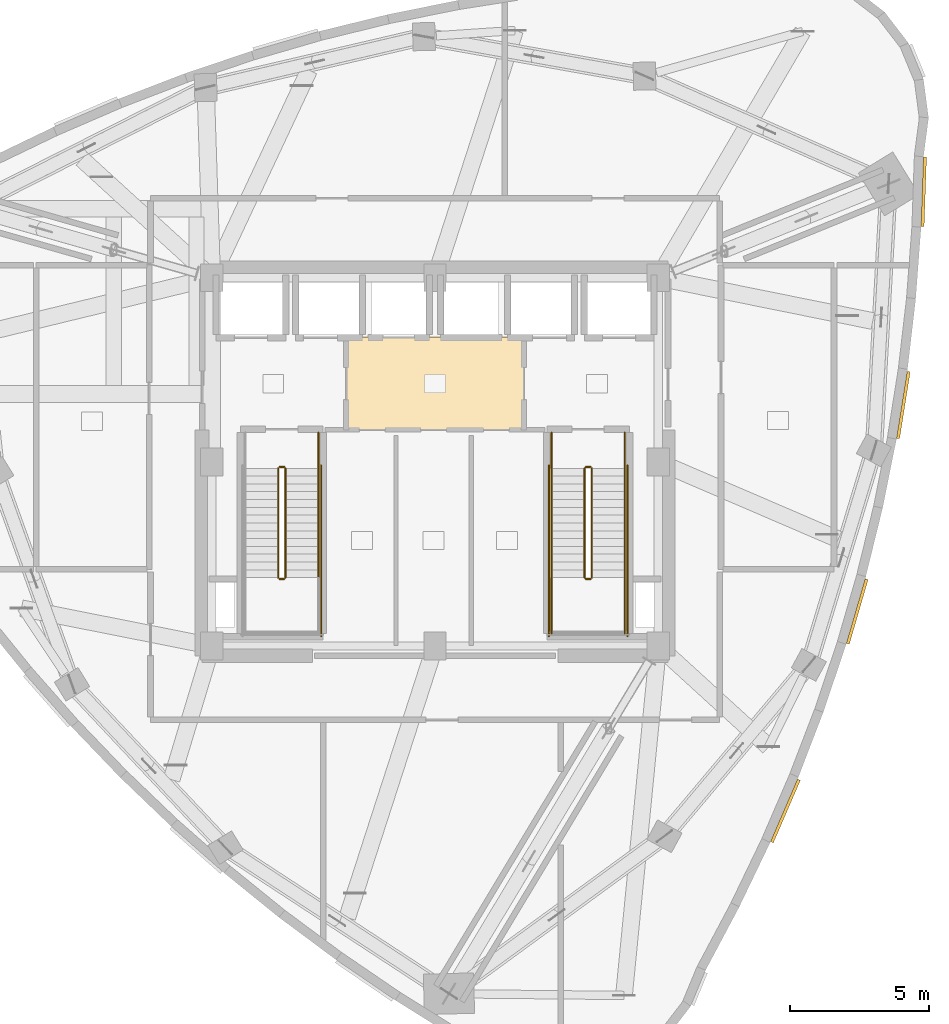
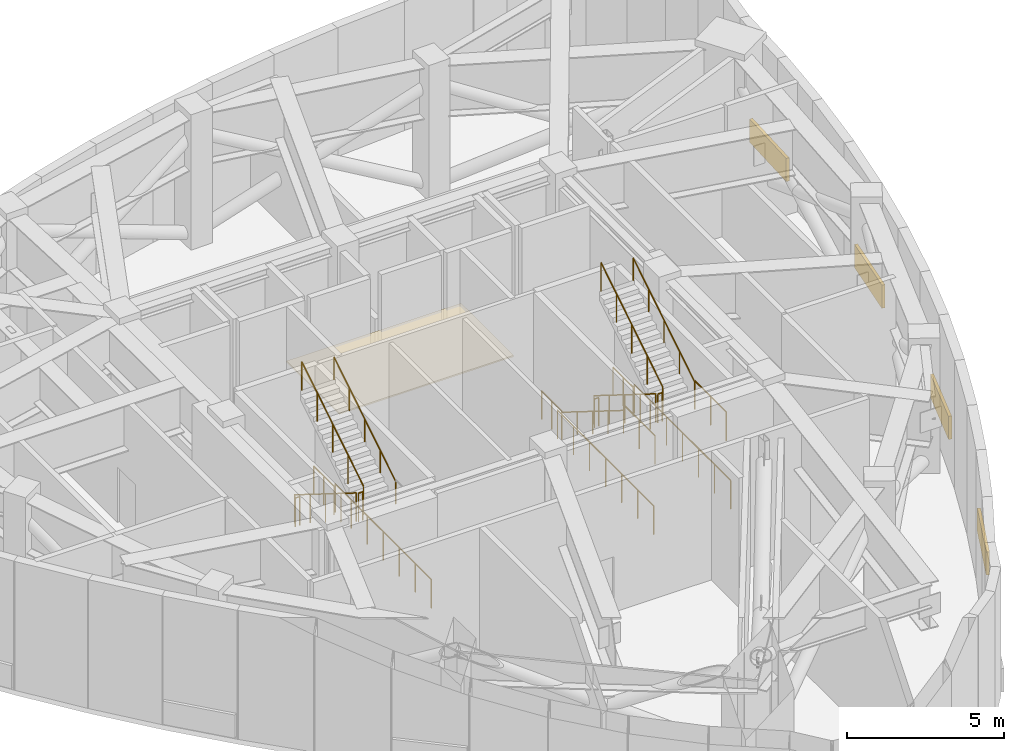
# One storey, part 9 of 10: 19 railings, 5 coverings.
"""IFC4 building model written with IfcOpenShell, lengths in metres."""

import ifcopenshell
import ifcopenshell.guid

model = None  # the IFC model being written
_history = None  # IfcOwnerHistory: only IFC2X3 demands one
_inside = {}  # id of a spatial element -> (the spatial element, [elements in it])
_under = {}  # id of a project, library or spatial element -> (it, [spatial elements below it])
_declared = {}  # id of a project -> (the project, [libraries it declares])
_typed = {}  # id of a type object -> (the type object, [elements of that type])
_made_of = {}  # id of a material, layer set ... -> (it, [elements and type objects made of it])


def new_model(schema):
    """Start an empty IFC model of exactly this schema.

    Asked for "IFC4X3", IfcOpenShell would pick the latest addendum, in which some entities
    have other attributes; the version numbers below select the first issue.
    IFC2X3 requires an IfcOwnerHistory on every rooted entity: one is made here for all.
    """
    global model, _history
    if schema == "IFC4X3":
        model = ifcopenshell.file(schema_version=(4, 3, 0, 0))
    else:
        model = ifcopenshell.file(schema=schema)
    _inside.clear()
    _under.clear()
    _declared.clear()
    _typed.clear()
    _made_of.clear()
    _history = None
    if model.schema == "IFC2X3":
        org = make("IfcOrganization", Name="unknown")
        user = make(
            "IfcPersonAndOrganization",
            ThePerson=make("IfcPerson", FamilyName="unknown"),
            TheOrganization=org,
        )
        app = make(
            "IfcApplication",
            ApplicationDeveloper=org,
            Version="unknown",
            ApplicationFullName="unknown",
            ApplicationIdentifier="unknown",
        )
        _history = make(
            "IfcOwnerHistory",
            OwningUser=user,
            OwningApplication=app,
            ChangeAction="ADDED",
            CreationDate=0,
        )
    return model


def make(cls, **values):
    """One entity of the class cls with the attributes given. An attribute that is None is left unset."""
    return model.create_entity(
        cls, **{name: value for name, value in values.items() if value is not None}
    )


def rooted(cls, **values):
    """An entity with a GlobalId (a new one), such as an element, a storey or a relation."""
    return make(cls, GlobalId=ifcopenshell.guid.new(), OwnerHistory=_history, **values)


def si_unit(unit_type, name, prefix=None):
    """IfcSIUnit, for example si_unit("LENGTHUNIT", "METRE", prefix="MILLI")."""
    return make("IfcSIUnit", UnitType=unit_type, Prefix=prefix, Name=name)


def assignment(units):
    """IfcUnitAssignment: the units of a project."""
    return None if units is None else make("IfcUnitAssignment", Units=units)


def point(xyz):
    """IfcCartesianPoint."""
    return None if xyz is None else make("IfcCartesianPoint", Coordinates=xyz)


def direction(xyz):
    """IfcDirection."""
    return None if xyz is None else make("IfcDirection", DirectionRatios=xyz)


def frame(location, z_axis=None, x_axis=None):
    """IfcAxis2Placement3D, a coordinate frame: its origin and axes. An axis left out is left unset."""
    return make(
        "IfcAxis2Placement3D",
        Location=point(location),
        Axis=direction(z_axis),
        RefDirection=direction(x_axis),
    )


def frame_2d(location, x_axis=None):
    """IfcAxis2Placement2D, a coordinate frame in the plane: its origin and x axis."""
    return make(
        "IfcAxis2Placement2D", Location=point(location), RefDirection=direction(x_axis)
    )


def origin():
    """The frame at (0, 0, 0) with its axes left unset."""
    return frame((0.0, 0.0, 0.0))


def origin_2d():
    """The frame at (0, 0) in the plane with its x axis left unset."""
    return frame_2d((0.0, 0.0))


def place(relative_to, where):
    """IfcLocalPlacement: puts the frame where relative to a parent placement (None: the world)."""
    return make(
        "IfcLocalPlacement", PlacementRelTo=relative_to, RelativePlacement=where
    )


def context(
    kind, dimensions, precision=None, world=None, true_north=None, identifier=None
):
    """IfcGeometricRepresentationContext, for example the 3D "Model" context."""
    return make(
        "IfcGeometricRepresentationContext",
        ContextIdentifier=identifier,
        ContextType=kind,
        CoordinateSpaceDimension=dimensions,
        Precision=precision,
        WorldCoordinateSystem=world,
        TrueNorth=true_north,
    )


def subcontext(parent, identifier, kind, view, scale=None):
    """IfcGeometricRepresentationSubContext, for example "Body" below "Model"."""
    return make(
        "IfcGeometricRepresentationSubContext",
        ContextIdentifier=identifier,
        ContextType=kind,
        ParentContext=parent,
        TargetScale=scale,
        TargetView=view,
    )


def project(units=None, contexts=None):
    """IfcProject with its units and contexts."""
    return rooted(
        "IfcProject",
        Name="project",
        RepresentationContexts=contexts,
        UnitsInContext=assignment(units),
    )


def spatial(cls, under=None, at=None, **own):
    """A site, building, storey or space (cls), placed at a placement, below another one or the project."""
    s = rooted(cls, ObjectPlacement=at, **own)
    if under is not None:
        _under.setdefault(under.id(), (under, []))[1].append(s)
    return s


def profile(cls, at=None, kind="AREA", **sizes):
    """A parametric profile (cls). Its sizes go by their IFC names, for example OverallWidth=200.0."""
    return make(cls, ProfileType=kind, Position=at, **sizes)


def rectangle(**sizes):
    """IfcRectangleProfileDef."""
    return profile("IfcRectangleProfileDef", **sizes)


def circle(**sizes):
    """IfcCircleProfileDef."""
    return profile("IfcCircleProfileDef", **sizes)


def extrude(swept, where, along, depth):
    """IfcExtrudedAreaSolid: the profile swept, set in the frame where, extruded along a direction by depth."""
    return make(
        "IfcExtrudedAreaSolid",
        SweptArea=swept,
        Position=where,
        ExtrudedDirection=direction(along),
        Depth=depth,
    )


def shape(context_of_items, identifier, shape_type, items):
    """IfcShapeRepresentation: the items that make up one representation, for example the "Body"."""
    return make(
        "IfcShapeRepresentation",
        ContextOfItems=context_of_items,
        RepresentationIdentifier=identifier,
        RepresentationType=shape_type,
        Items=items,
    )


def material(Name=None, Category=None):
    """IfcMaterial."""
    return make("IfcMaterial", Name=Name, Category=Category)


def layer(
    of_material, thickness, ventilated=None, Name=None, Category=None, Priority=None
):
    """IfcMaterialLayer: one layer of a wall or slab, of a material (None: an air gap)."""
    return make(
        "IfcMaterialLayer",
        Material=of_material,
        LayerThickness=thickness,
        IsVentilated=ventilated,
        Name=Name,
        Category=Category,
        Priority=Priority,
    )


def layer_set(layers, Name=None):
    """IfcMaterialLayerSet."""
    return make("IfcMaterialLayerSet", MaterialLayers=layers, LayerSetName=Name)


def made_of(thing, what):
    """Note that an element or type object is made of a material, layer set ...; save() writes the relation."""
    if what is not None:
        _made_of.setdefault(what.id(), (what, []))[1].append(thing)
    return thing


def type_object(cls, material=None, **own):
    """A type object (cls), such as IfcWallType, which elements share."""
    return made_of(rooted(cls, **own), material)


def element(
    cls,
    number,
    at=None,
    inside=None,
    cuts=None,
    type_object=None,
    material=None,
    context=None,
    identifier="Body",
    shape_type=None,
    held_by="IfcProductDefinitionShape",
    body=None,
    shapes=None,
    **own,
):
    """One element of the class cls, such as IfcWall. Its Tag is "e" and its number.

    at: its placement. inside: the storey or other place that contains it. cuts: it is an
    opening in that element (IfcRelVoidsElement). A single representation is given by context,
    identifier, shape_type and body (its items); several are given by shapes. held_by: the class
    of the entity that holds the representations. save() writes the other relations.
    """
    e = rooted(cls, Tag="e%d" % number, ObjectPlacement=at, **own)
    if body is not None:
        shapes = [shape(context, identifier, shape_type, body)]
    if shapes is not None:
        e.Representation = make(held_by, Representations=shapes)
    if inside is not None:
        _inside.setdefault(inside.id(), (inside, []))[1].append(e)
    if cuts is not None:
        rooted(
            "IfcRelVoidsElement", RelatingBuildingElement=cuts, RelatedOpeningElement=e
        )
    if type_object is not None:
        _typed.setdefault(type_object.id(), (type_object, []))[1].append(e)
    return made_of(e, material)


def aggregate(whole, parts):
    """IfcRelAggregates: a whole, such as a stair, and the parts it consists of."""
    return rooted("IfcRelAggregates", RelatingObject=whole, RelatedObjects=parts)


def save(model, path):
    """Write the relations noted so far, then the file.

    IfcRelAggregates (storeys below a building ...), IfcRelContainedInSpatialStructure (elements
    in a storey), IfcRelDefinesByType, IfcRelAssociatesMaterial and IfcRelDeclares: one each for
    every whole, place, type object, material and project.
    """
    for whole, parts in _under.values():
        aggregate(whole, parts)
    for where, things in _inside.values():
        rooted(
            "IfcRelContainedInSpatialStructure",
            RelatedElements=things,
            RelatingStructure=where,
        )
    for kind, things in _typed.values():
        rooted("IfcRelDefinesByType", RelatedObjects=things, RelatingType=kind)
    for what, things in _made_of.values():
        rooted("IfcRelAssociatesMaterial", RelatedObjects=things, RelatingMaterial=what)
    for by, libraries in _declared.values():
        rooted("IfcRelDeclares", RelatingContext=by, RelatedDefinitions=libraries)
    model.write(path)


model = new_model("IFC4")

# Units and contexts
model_context = context("Model", 3, precision=1e-05, world=origin(), true_north=direction((0.0, 1.0)))
body_context = subcontext(model_context, "Body", "Model", "MODEL_VIEW")
ifc_project = project(units=[si_unit("LENGTHUNIT", "METRE"), si_unit("AREAUNIT", "SQUARE_METRE"), si_unit("VOLUMEUNIT", "CUBIC_METRE"), si_unit("PLANEANGLEUNIT", "RADIAN"), si_unit("MASSUNIT", "GRAM", prefix="KILO")], contexts=[model_context])

# Site, building, storey
site_placement = place(None, origin())
site = spatial("IfcSite", under=ifc_project, at=site_placement, CompositionType="ELEMENT")
building_placement = place(site_placement, origin())
building = spatial("IfcBuilding", under=site, at=building_placement, Name="Ndelora Gate Hotel", CompositionType="ELEMENT")
storey_placement = place(building_placement, frame((0.0, 0.0, 254.949951171875)))
storey = spatial("IfcBuildingStorey", under=building, at=storey_placement, Name="L64", CompositionType="ELEMENT", Elevation=254.949951171875)

# Coverings
ifc_material_1 = material(Name="Perforated Acoustic Gypsum Board", Category="gypsum")
ifc_layer_1 = layer(ifc_material_1, 0.054931640625)
ifc_layer_set_1 = layer_set([ifc_layer_1], Name="Perforated Acoustic Gypsum Board")
covering_type_1 = type_object("IfcCoveringType", Name="COV-CEIL-AC60", PredefinedType="CEILING", material=ifc_layer_set_1)
covering_1_placement = place(storey_placement, frame((0.0, 2.800048828125, 2.72265625), z_axis=(0.0, 0.0, 1.0), x_axis=(1.0, 0.0, 0.0)))
element("IfcCovering", 1, at=covering_1_placement, inside=storey, type_object=covering_type_1, Name="L64 Lift Lobby Acoustic Ceiling", PredefinedType="CEILING", context=body_context, shape_type="SweptSolid", body=[
    extrude(rectangle(XDim=6.39990234375, YDim=3.340087890625, at=origin_2d()), origin(), (0.0, 0.0, 1.0), 0.054931640625),
])
ifc_material_2 = material(Name="Terracotta Fired Clay Brick Slip Cladding", Category="masonry")
ifc_layer_2 = layer(ifc_material_2, 0.110107421875)
ifc_layer_set_2 = layer_set([ifc_layer_2], Name="Terracotta Fired Clay Brick Slip Cladding")
covering_type_2 = type_object("IfcCoveringType", Name="COV-CLAD-BRK", PredefinedType="CLADDING", material=ifc_layer_set_2)
covering_2_placement = place(storey_placement, frame((12.559814453125, -12.51318359375, 0.10009765625), z_axis=(0.0, 0.0, 1.0), x_axis=(0.396507080307, 0.918031663543, 0.0)))
element("IfcCovering", 2, at=covering_2_placement, inside=storey, type_object=covering_type_2, Name="L64 Rounded-Corner Brick Cladding Band 31", PredefinedType="CLADDING", context=body_context, shape_type="SweptSolid", body=[
    extrude(rectangle(XDim=2.443115234375, YDim=0.110107421875, at=origin_2d()), origin(), (0.0, 0.0, 1.0), 0.89990234375),
])
covering_3_placement = place(storey_placement, frame((15.134033203125, -5.362060546875, 0.10009765625), z_axis=(0.0, 0.0, 1.0), x_axis=(0.278991106039, 0.960293685677, 0.0)))
element("IfcCovering", 3, at=covering_3_placement, inside=storey, type_object=covering_type_2, Name="L64 Rounded-Corner Brick Cladding Band 34", PredefinedType="CLADDING", context=body_context, shape_type="SweptSolid", body=[
    extrude(rectangle(XDim=2.416015625, YDim=0.110107421875, at=origin_2d()), origin(), (0.0, 0.0, 1.0), 0.89990234375),
])
covering_4_placement = place(storey_placement, frame((16.787353515625, 2.0361328125, 0.10009765625), z_axis=(0.0, 0.0, 1.0), x_axis=(0.156606846792, 0.987661022587, 0.0)))
element("IfcCovering", 4, at=covering_4_placement, inside=storey, type_object=covering_type_2, Name="L64 Rounded-Corner Brick Cladding Band 37", PredefinedType="CLADDING", context=body_context, shape_type="SweptSolid", body=[
    extrude(rectangle(XDim=2.428955078125, YDim=0.110107421875, at=origin_2d()), origin(), (0.0, 0.0, 1.0), 0.89990234375),
])
covering_5_placement = place(storey_placement, frame((17.519775390625, 9.68017578125, 0.10009765625), z_axis=(0.0, 0.0, 1.0), x_axis=(0.034899496703, 0.999390827019, 0.0)))
element("IfcCovering", 5, at=covering_5_placement, inside=storey, type_object=covering_type_2, Name="L64 Rounded-Corner Brick Cladding Band 40", PredefinedType="CLADDING", context=body_context, shape_type="SweptSolid", body=[
    extrude(rectangle(XDim=2.48193359375, YDim=0.110107421875, at=origin_2d()), origin(), (0.0, 0.0, 1.0), 0.89990234375),
])

# Railings
ifc_material_3 = material(Name="Painted Galvanized Steel Balustrade", Category="steel")
ifc_layer_3 = layer(ifc_material_3, 0.06005859375)
ifc_layer_set_3 = layer_set([ifc_layer_3], Name="Painted Galvanized Steel Balustrade")
railing_type_1 = type_object("IfcRailingType", Name="RL-STAIR-GD", PredefinedType="GUARDRAIL", material=ifc_layer_set_3)
railing_1_placement = place(storey_placement, frame((-5.6201171875, -0.22998046875, 0.175048828125)))
element("IfcRailing", 6, at=railing_1_placement, inside=storey, type_object=railing_type_1, Name="L64 ST4 stair guard 1", PredefinedType="GUARDRAIL", context=body_context, shape_type="SweptSolid", body=[
    extrude(circle(Radius=0.02392578125, at=origin_2d()), frame((0.0, 0.0, 1.10595703125), z_axis=(0.0, -0.847998304005, 0.529998940003), x_axis=(1.0, 0.0, 0.0)), (0.0, 0.0, 1.0), 4.62255859375),
    extrude(circle(Radius=0.02099609375, at=origin_2d()), origin(), (0.0, 0.0, 1.0), 1.081787109375),
    extrude(circle(Radius=0.02099609375, at=origin_2d()), frame((0.0, -0.97998046875, 0.612548828125)), (0.0, 0.0, 1.0), 1.081787109375),
    extrude(circle(Radius=0.02099609375, at=origin_2d()), frame((0.0, -1.9599609375, 1.22509765625)), (0.0, 0.0, 1.0), 1.081787109375),
    extrude(circle(Radius=0.02099609375, at=origin_2d()), frame((0.0, -2.93994140625, 1.83740234375)), (0.0, 0.0, 1.0), 1.081787109375),
    extrude(circle(Radius=0.02099609375, at=origin_2d()), frame((0.0, -3.919921875, 2.449951171875)), (0.0, 0.0, 1.0), 1.081787109375),
])
railing_2_placement = place(storey_placement, frame((-5.570068359375, -4.199951171875, 2.625)))
element("IfcRailing", 7, at=railing_2_placement, inside=storey, type_object=railing_type_1, Name="L64 ST4 stair guard 2", PredefinedType="GUARDRAIL", context=body_context, shape_type="SweptSolid", body=[
    extrude(circle(Radius=0.02392578125, at=origin_2d()), frame((0.0, 0.0, 1.10595703125), z_axis=(1.0, 0.0, 0.0), x_axis=(0.0, 1.0, 0.0)), (0.0, 0.0, 1.0), 0.16015625),
    extrude(circle(Radius=0.02099609375, at=origin_2d()), origin(), (0.0, 0.0, 1.0), 1.081787109375),
    extrude(circle(Radius=0.02099609375, at=origin_2d()), frame((0.16015625, 0.0, 0.0)), (0.0, 0.0, 1.0), 1.081787109375),
])
railing_3_placement = place(storey_placement, frame((-5.360107421875, -4.14990234375, 2.800048828125)))
element("IfcRailing", 8, at=railing_3_placement, inside=storey, type_object=railing_type_1, Name="L64 ST4 stair guard 6", PredefinedType="GUARDRAIL", context=body_context, shape_type="SweptSolid", body=[
    extrude(circle(Radius=0.02392578125, at=origin_2d()), frame((0.0, 0.0, 1.10595703125), z_axis=(0.0, 0.847998304005, 0.529998940003), x_axis=(-1.0, 0.0, 0.0)), (0.0, 0.0, 1.0), 4.62255859375),
    extrude(circle(Radius=0.02099609375, at=origin_2d()), origin(), (0.0, 0.0, 1.0), 1.081787109375),
    extrude(circle(Radius=0.02099609375, at=origin_2d()), frame((0.0, 0.97998046875, 0.612548828125)), (0.0, 0.0, 1.0), 1.081787109375),
    extrude(circle(Radius=0.02099609375, at=origin_2d()), frame((0.0, 1.9599609375, 1.22509765625)), (0.0, 0.0, 1.0), 1.081787109375),
    extrude(circle(Radius=0.02099609375, at=origin_2d()), frame((0.0, 2.93994140625, 1.83740234375)), (0.0, 0.0, 1.0), 1.081787109375),
    extrude(circle(Radius=0.02099609375, at=origin_2d()), frame((0.0, 3.919921875, 2.449951171875)), (0.0, 0.0, 1.0), 1.081787109375),
])
railing_4_placement = place(storey_placement, frame((-5.570068359375, -0.179931640625, 0.0)))
element("IfcRailing", 9, at=railing_4_placement, inside=storey, type_object=railing_type_1, Name="L64 ST4 stair guard 7", PredefinedType="GUARDRAIL", context=body_context, shape_type="SweptSolid", body=[
    extrude(circle(Radius=0.02392578125, at=origin_2d()), frame((0.0, 0.0, 1.10595703125), z_axis=(1.0, 0.0, 0.0), x_axis=(0.0, 1.0, 0.0)), (0.0, 0.0, 1.0), 0.16015625),
    extrude(circle(Radius=0.02099609375, at=origin_2d()), origin(), (0.0, 0.0, 1.0), 1.081787109375),
    extrude(circle(Radius=0.02099609375, at=origin_2d()), frame((0.16015625, 0.0, 0.0)), (0.0, 0.0, 1.0), 1.081787109375),
])
railing_5_placement = place(storey_placement, frame((-4.179931640625, 1.050048828125, 0.0)))
element("IfcRailing", 10, at=railing_5_placement, inside=storey, type_object=railing_type_1, Name="L64 ST4 stair guard 9", PredefinedType="GUARDRAIL", context=body_context, shape_type="SweptSolid", body=[
    extrude(circle(Radius=0.02392578125, at=origin_2d()), frame((0.0, 0.0, 1.10595703125), z_axis=(0.0, -1.0, 0.0), x_axis=(1.0, 0.0, 0.0)), (0.0, 0.0, 1.0), 1.280029296875),
    extrude(circle(Radius=0.02099609375, at=origin_2d()), origin(), (0.0, 0.0, 1.0), 1.081787109375),
    extrude(circle(Radius=0.02099609375, at=origin_2d()), frame((0.0, -0.64013671875, 0.0)), (0.0, 0.0, 1.0), 1.081787109375),
    extrude(circle(Radius=0.02099609375, at=origin_2d()), frame((0.0, -1.280029296875, 0.0)), (0.0, 0.0, 1.0), 1.081787109375),
])
railing_6_placement = place(storey_placement, frame((-4.080078125, -0.1298828125, 0.0)))
element("IfcRailing", 11, at=railing_6_placement, inside=storey, type_object=railing_type_1, Name="L64 ST4 stair guard 11", PredefinedType="GUARDRAIL", context=body_context, shape_type="SweptSolid", body=[
    extrude(circle(Radius=0.02392578125, at=origin_2d()), frame((0.0, 0.0, 1.10595703125), z_axis=(0.0, -1.0, 0.0), x_axis=(1.0, 0.0, 0.0)), (0.0, 0.0, 1.0), 6.1201171875),
    extrude(circle(Radius=0.02099609375, at=origin_2d()), origin(), (0.0, 0.0, 1.0), 1.081787109375),
    extrude(circle(Radius=0.02099609375, at=origin_2d()), frame((0.0, -1.02001953125, 0.0)), (0.0, 0.0, 1.0), 1.081787109375),
    extrude(circle(Radius=0.02099609375, at=origin_2d()), frame((0.0, -2.0400390625, 0.0)), (0.0, 0.0, 1.0), 1.081787109375),
    extrude(circle(Radius=0.02099609375, at=origin_2d()), frame((0.0, -3.06005859375, 0.0)), (0.0, 0.0, 1.0), 1.081787109375),
    extrude(circle(Radius=0.02099609375, at=origin_2d()), frame((0.0, -4.080078125, 0.0)), (0.0, 0.0, 1.0), 1.081787109375),
    extrude(circle(Radius=0.02099609375, at=origin_2d()), frame((0.0, -5.10009765625, 0.0)), (0.0, 0.0, 1.0), 1.081787109375),
    extrude(circle(Radius=0.02099609375, at=origin_2d()), frame((0.0, -6.1201171875, 0.0)), (0.0, 0.0, 1.0), 1.081787109375),
])
railing_7_placement = place(storey_placement, frame((5.360107421875, -0.22998046875, 0.175048828125)))
element("IfcRailing", 12, at=railing_7_placement, inside=storey, type_object=railing_type_1, Name="L64 ST5 stair guard 1", PredefinedType="GUARDRAIL", context=body_context, shape_type="SweptSolid", body=[
    extrude(circle(Radius=0.02392578125, at=origin_2d()), frame((0.0, 0.0, 1.10595703125), z_axis=(0.0, -0.847998304005, 0.529998940003), x_axis=(1.0, 0.0, 0.0)), (0.0, 0.0, 1.0), 4.62255859375),
    extrude(circle(Radius=0.02099609375, at=origin_2d()), origin(), (0.0, 0.0, 1.0), 1.081787109375),
    extrude(circle(Radius=0.02099609375, at=origin_2d()), frame((0.0, -0.97998046875, 0.612548828125)), (0.0, 0.0, 1.0), 1.081787109375),
    extrude(circle(Radius=0.02099609375, at=origin_2d()), frame((0.0, -1.9599609375, 1.22509765625)), (0.0, 0.0, 1.0), 1.081787109375),
    extrude(circle(Radius=0.02099609375, at=origin_2d()), frame((0.0, -2.93994140625, 1.83740234375)), (0.0, 0.0, 1.0), 1.081787109375),
    extrude(circle(Radius=0.02099609375, at=origin_2d()), frame((0.0, -3.919921875, 2.449951171875)), (0.0, 0.0, 1.0), 1.081787109375),
])
railing_8_placement = place(storey_placement, frame((5.409912109375, -4.199951171875, 2.625)))
element("IfcRailing", 13, at=railing_8_placement, inside=storey, type_object=railing_type_1, Name="L64 ST5 stair guard 2", PredefinedType="GUARDRAIL", context=body_context, shape_type="SweptSolid", body=[
    extrude(circle(Radius=0.02392578125, at=origin_2d()), frame((0.0, 0.0, 1.10595703125), z_axis=(1.0, 0.0, 0.0), x_axis=(0.0, 1.0, 0.0)), (0.0, 0.0, 1.0), 0.16015625),
    extrude(circle(Radius=0.02099609375, at=origin_2d()), origin(), (0.0, 0.0, 1.0), 1.081787109375),
    extrude(circle(Radius=0.02099609375, at=origin_2d()), frame((0.16015625, 0.0, 0.0)), (0.0, 0.0, 1.0), 1.081787109375),
])
for number, where, name in (
    (14, (4.179931640625, -4.14990234375, 2.625), "L64 ST5 stair guard 3"),
    (15, (6.800048828125, -4.14990234375, 2.625), "L64 ST5 stair guard 4"),
):
    element("IfcRailing", number, at=place(storey_placement, frame(where)), inside=storey, type_object=railing_type_1, Name=name, PredefinedType="GUARDRAIL", context=body_context, shape_type="SweptSolid", body=[
        extrude(circle(Radius=0.02392578125, at=origin_2d()), frame((0.0, 0.0, 1.10595703125), z_axis=(0.0, -1.0, 0.0), x_axis=(1.0, 0.0, 0.0)), (0.0, 0.0, 1.0), 2.0),
        extrude(circle(Radius=0.02099609375, at=origin_2d()), origin(), (0.0, 0.0, 1.0), 1.081787109375),
        extrude(circle(Radius=0.02099609375, at=origin_2d()), frame((0.0, -1.0, 0.0)), (0.0, 0.0, 1.0), 1.081787109375),
        extrude(circle(Radius=0.02099609375, at=origin_2d()), frame((0.0, -2.0, 0.0)), (0.0, 0.0, 1.0), 1.081787109375),
    ])
railing_9_placement = place(storey_placement, frame((5.6201171875, -4.14990234375, 2.800048828125)))
element("IfcRailing", 16, at=railing_9_placement, inside=storey, type_object=railing_type_1, Name="L64 ST5 stair guard 6", PredefinedType="GUARDRAIL", context=body_context, shape_type="SweptSolid", body=[
    extrude(circle(Radius=0.02392578125, at=origin_2d()), frame((0.0, 0.0, 1.10595703125), z_axis=(0.0, 0.847998304005, 0.529998940003), x_axis=(-1.0, 0.0, 0.0)), (0.0, 0.0, 1.0), 4.62255859375),
    extrude(circle(Radius=0.02099609375, at=origin_2d()), origin(), (0.0, 0.0, 1.0), 1.081787109375),
    extrude(circle(Radius=0.02099609375, at=origin_2d()), frame((0.0, 0.97998046875, 0.612548828125)), (0.0, 0.0, 1.0), 1.081787109375),
    extrude(circle(Radius=0.02099609375, at=origin_2d()), frame((0.0, 1.9599609375, 1.22509765625)), (0.0, 0.0, 1.0), 1.081787109375),
    extrude(circle(Radius=0.02099609375, at=origin_2d()), frame((0.0, 2.93994140625, 1.83740234375)), (0.0, 0.0, 1.0), 1.081787109375),
    extrude(circle(Radius=0.02099609375, at=origin_2d()), frame((0.0, 3.919921875, 2.449951171875)), (0.0, 0.0, 1.0), 1.081787109375),
])
railing_10_placement = place(storey_placement, frame((5.409912109375, -0.179931640625, 0.0)))
element("IfcRailing", 17, at=railing_10_placement, inside=storey, type_object=railing_type_1, Name="L64 ST5 stair guard 7", PredefinedType="GUARDRAIL", context=body_context, shape_type="SweptSolid", body=[
    extrude(circle(Radius=0.02392578125, at=origin_2d()), frame((0.0, 0.0, 1.10595703125), z_axis=(1.0, 0.0, 0.0), x_axis=(0.0, 1.0, 0.0)), (0.0, 0.0, 1.0), 0.16015625),
    extrude(circle(Radius=0.02099609375, at=origin_2d()), origin(), (0.0, 0.0, 1.0), 1.081787109375),
    extrude(circle(Radius=0.02099609375, at=origin_2d()), frame((0.16015625, 0.0, 0.0)), (0.0, 0.0, 1.0), 1.081787109375),
])
for number, where, name in (
    (18, (4.179931640625, 1.050048828125, 0.0), "L64 ST5 stair guard 8"),
    (19, (6.800048828125, 1.050048828125, 0.0), "L64 ST5 stair guard 9"),
):
    element("IfcRailing", number, at=place(storey_placement, frame(where)), inside=storey, type_object=railing_type_1, Name=name, PredefinedType="GUARDRAIL", context=body_context, shape_type="SweptSolid", body=[
        extrude(circle(Radius=0.02392578125, at=origin_2d()), frame((0.0, 0.0, 1.10595703125), z_axis=(0.0, -1.0, 0.0), x_axis=(1.0, 0.0, 0.0)), (0.0, 0.0, 1.0), 1.280029296875),
        extrude(circle(Radius=0.02099609375, at=origin_2d()), origin(), (0.0, 0.0, 1.0), 1.081787109375),
        extrude(circle(Radius=0.02099609375, at=origin_2d()), frame((0.0, -0.64013671875, 0.0)), (0.0, 0.0, 1.0), 1.081787109375),
        extrude(circle(Radius=0.02099609375, at=origin_2d()), frame((0.0, -1.280029296875, 0.0)), (0.0, 0.0, 1.0), 1.081787109375),
    ])
for number, where, name in (
    (20, (4.080078125, -0.1298828125, 0.0), "L64 ST5 stair guard 10"),
    (21, (6.89990234375, -0.1298828125, 0.0), "L64 ST5 stair guard 11"),
):
    element("IfcRailing", number, at=place(storey_placement, frame(where)), inside=storey, type_object=railing_type_1, Name=name, PredefinedType="GUARDRAIL", context=body_context, shape_type="SweptSolid", body=[
        extrude(circle(Radius=0.02392578125, at=origin_2d()), frame((0.0, 0.0, 1.10595703125), z_axis=(0.0, -1.0, 0.0), x_axis=(1.0, 0.0, 0.0)), (0.0, 0.0, 1.0), 6.1201171875),
        extrude(circle(Radius=0.02099609375, at=origin_2d()), origin(), (0.0, 0.0, 1.0), 1.081787109375),
        extrude(circle(Radius=0.02099609375, at=origin_2d()), frame((0.0, -1.02001953125, 0.0)), (0.0, 0.0, 1.0), 1.081787109375),
        extrude(circle(Radius=0.02099609375, at=origin_2d()), frame((0.0, -2.0400390625, 0.0)), (0.0, 0.0, 1.0), 1.081787109375),
        extrude(circle(Radius=0.02099609375, at=origin_2d()), frame((0.0, -3.06005859375, 0.0)), (0.0, 0.0, 1.0), 1.081787109375),
        extrude(circle(Radius=0.02099609375, at=origin_2d()), frame((0.0, -4.080078125, 0.0)), (0.0, 0.0, 1.0), 1.081787109375),
        extrude(circle(Radius=0.02099609375, at=origin_2d()), frame((0.0, -5.10009765625, 0.0)), (0.0, 0.0, 1.0), 1.081787109375),
        extrude(circle(Radius=0.02099609375, at=origin_2d()), frame((0.0, -6.1201171875, 0.0)), (0.0, 0.0, 1.0), 1.081787109375),
    ])
ifc_material_4 = material(Name="Brushed Stainless Steel 316", Category="steel")
ifc_layer_4 = layer(ifc_material_4, 0.050048828125)
ifc_layer_set_4 = layer_set([ifc_layer_4], Name="Brushed Stainless Steel 316")
railing_type_2 = type_object("IfcRailingType", Name="RL-STAIR-HR", PredefinedType="HANDRAIL", material=ifc_layer_set_4)
railing_11_placement = place(storey_placement, frame((-4.179931640625, -4.14990234375, 2.800048828125)))
element("IfcRailing", 22, at=railing_11_placement, inside=storey, type_object=railing_type_2, Name="L64 ST4 stair handrail 2", PredefinedType="HANDRAIL", context=body_context, shape_type="SweptSolid", body=[
    extrude(circle(Radius=0.02392578125, at=origin_2d()), frame((0.0, 0.0, 0.8759765625), z_axis=(0.0, 0.847998304005, 0.529998940003), x_axis=(-1.0, 0.0, 0.0)), (0.0, 0.0, 1.0), 4.62255859375),
    extrude(circle(Radius=0.02099609375, at=origin_2d()), origin(), (0.0, 0.0, 1.0), 0.851806640625),
    extrude(circle(Radius=0.02099609375, at=origin_2d()), frame((0.0, 0.97998046875, 0.612548828125)), (0.0, 0.0, 1.0), 0.851806640625),
    extrude(circle(Radius=0.02099609375, at=origin_2d()), frame((0.0, 1.9599609375, 1.22509765625)), (0.0, 0.0, 1.0), 0.851806640625),
    extrude(circle(Radius=0.02099609375, at=origin_2d()), frame((0.0, 2.93994140625, 1.83740234375)), (0.0, 0.0, 1.0), 0.851806640625),
    extrude(circle(Radius=0.02099609375, at=origin_2d()), frame((0.0, 3.919921875, 2.449951171875)), (0.0, 0.0, 1.0), 0.851806640625),
])
railing_12_placement = place(storey_placement, frame((4.179931640625, -0.22998046875, 0.175048828125)))
element("IfcRailing", 23, at=railing_12_placement, inside=storey, type_object=railing_type_2, Name="L64 ST5 stair handrail 1", PredefinedType="HANDRAIL", context=body_context, shape_type="SweptSolid", body=[
    extrude(circle(Radius=0.02392578125, at=origin_2d()), frame((0.0, 0.0, 0.8759765625), z_axis=(0.0, -0.847998304005, 0.529998940003), x_axis=(1.0, 0.0, 0.0)), (0.0, 0.0, 1.0), 4.62255859375),
    extrude(circle(Radius=0.02099609375, at=origin_2d()), origin(), (0.0, 0.0, 1.0), 0.851806640625),
    extrude(circle(Radius=0.02099609375, at=origin_2d()), frame((0.0, -0.97998046875, 0.612548828125)), (0.0, 0.0, 1.0), 0.851806640625),
    extrude(circle(Radius=0.02099609375, at=origin_2d()), frame((0.0, -1.9599609375, 1.22509765625)), (0.0, 0.0, 1.0), 0.851806640625),
    extrude(circle(Radius=0.02099609375, at=origin_2d()), frame((0.0, -2.93994140625, 1.83740234375)), (0.0, 0.0, 1.0), 0.851806640625),
    extrude(circle(Radius=0.02099609375, at=origin_2d()), frame((0.0, -3.919921875, 2.449951171875)), (0.0, 0.0, 1.0), 0.851806640625),
])
railing_13_placement = place(storey_placement, frame((6.800048828125, -4.14990234375, 2.800048828125)))
element("IfcRailing", 24, at=railing_13_placement, inside=storey, type_object=railing_type_2, Name="L64 ST5 stair handrail 2", PredefinedType="HANDRAIL", context=body_context, shape_type="SweptSolid", body=[
    extrude(circle(Radius=0.02392578125, at=origin_2d()), frame((0.0, 0.0, 0.8759765625), z_axis=(0.0, 0.847998304005, 0.529998940003), x_axis=(-1.0, 0.0, 0.0)), (0.0, 0.0, 1.0), 4.62255859375),
    extrude(circle(Radius=0.02099609375, at=origin_2d()), origin(), (0.0, 0.0, 1.0), 0.851806640625),
    extrude(circle(Radius=0.02099609375, at=origin_2d()), frame((0.0, 0.97998046875, 0.612548828125)), (0.0, 0.0, 1.0), 0.851806640625),
    extrude(circle(Radius=0.02099609375, at=origin_2d()), frame((0.0, 1.9599609375, 1.22509765625)), (0.0, 0.0, 1.0), 0.851806640625),
    extrude(circle(Radius=0.02099609375, at=origin_2d()), frame((0.0, 2.93994140625, 1.83740234375)), (0.0, 0.0, 1.0), 0.851806640625),
    extrude(circle(Radius=0.02099609375, at=origin_2d()), frame((0.0, 3.919921875, 2.449951171875)), (0.0, 0.0, 1.0), 0.851806640625),
])

save(model, "model.ifc")
